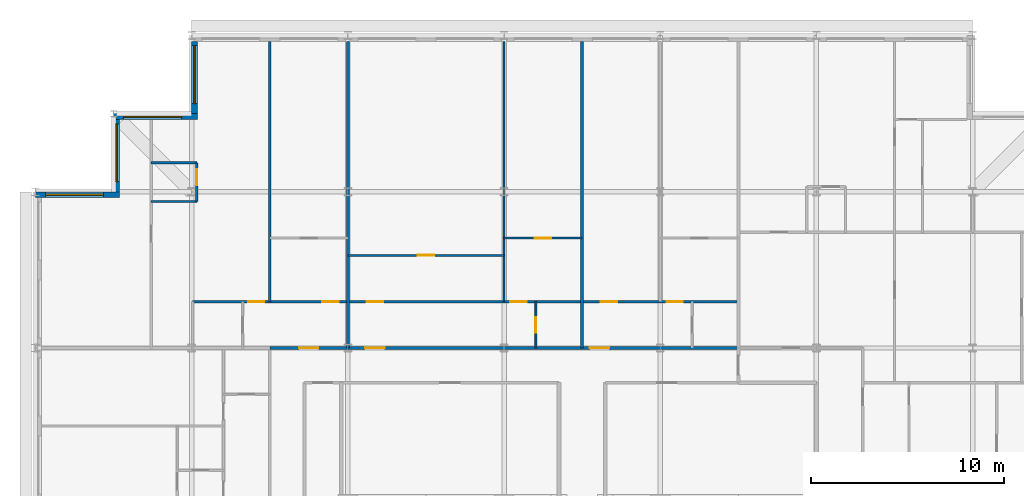
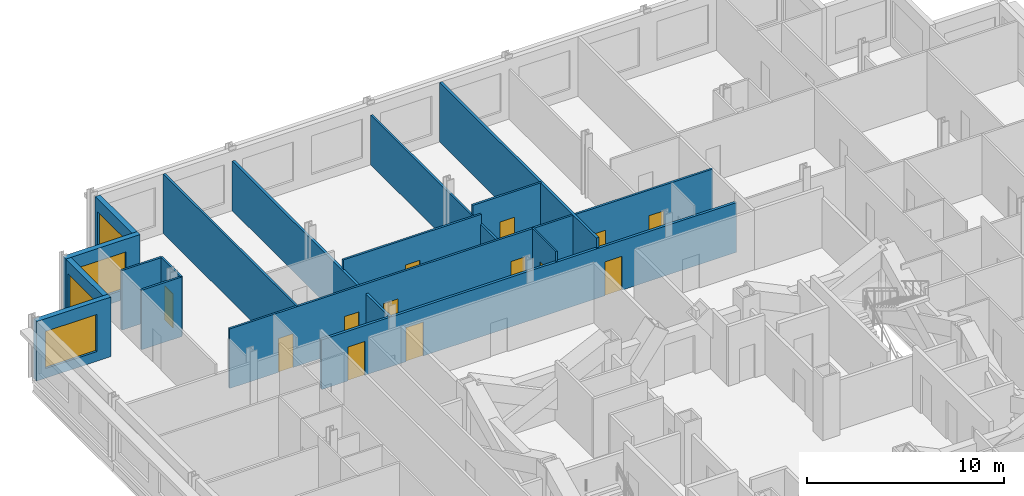
# One storey, part 12 of 15: 16 walls, 13 doors, 4 windows, 17 openings.
"""IFC4 building model written with IfcOpenShell, lengths in metres."""

from ifc_helpers import new_model, si_unit, direction, frame, frame_2d, origin, place, context, subcontext, project, spatial, rectangle, extrude, material, layer, layer_set, type_object, element, fill, save


model = new_model("IFC4")

# Units and contexts
model_context = context("Model", 3, precision=1e-05, world=origin(), true_north=direction((0.0, 1.0)))
body_context = subcontext(model_context, "Body", "Model", "MODEL_VIEW")
ifc_project = project(units=[si_unit("LENGTHUNIT", "METRE"), si_unit("AREAUNIT", "SQUARE_METRE"), si_unit("VOLUMEUNIT", "CUBIC_METRE"), si_unit("PLANEANGLEUNIT", "RADIAN"), si_unit("MASSUNIT", "GRAM", prefix="KILO")], contexts=[model_context])

# Site, building, storey
site_placement = place(None, origin())
site = spatial("IfcSite", under=ifc_project, at=site_placement, CompositionType="ELEMENT")
building_placement = place(site_placement, origin())
building = spatial("IfcBuilding", under=site, at=building_placement, Name="Kopane Lantern Tower", CompositionType="ELEMENT")
storey_placement = place(building_placement, frame((0.0, 0.0, 281.39990234375)))
storey = spatial("IfcBuildingStorey", under=building, at=storey_placement, Name="L72", CompositionType="ELEMENT", Elevation=281.39990234375)

# Wall
ifc_material_1 = material(Name="Gypsum board on steel studs", Category="steel")
ifc_layer_1 = layer(ifc_material_1, 0.1201171875)
ifc_layer_set_1 = layer_set([ifc_layer_1], Name="APARTMENT INTERNAL WALL 120")
wall_type_1 = type_object("IfcWallType", Name="APARTMENT INTERNAL WALL 120", PredefinedType="PARTITIONING", material=ifc_layer_set_1)
wall_1_placement = place(storey_placement, frame((24.300048828125, 51.0, 0.0), z_axis=(0.0, 0.0, 1.0), x_axis=(0.0, 1.0, 0.0)))
element("IfcWall", 1, at=wall_1_placement, inside=storey, type_object=wall_type_1, Name="Apartment Internal Wall 120 L72", PredefinedType="PARTITIONING", context=body_context, shape_type="SweptSolid", body=[
    extrude(rectangle(XDim=13.5, YDim=0.1201171875, at=frame_2d((6.75, 0.0))), origin(), (0.0, 0.0, 1.0), 3.077880859375),
])

# Wall, openings, doors
wall_2_placement = place(storey_placement, frame((8.14990234375, 51.0, 0.0), z_axis=(0.0, 0.0, 1.0), x_axis=(1.0, 0.0, 0.0)))
wall_2 = element("IfcWall", 2, at=wall_2_placement, inside=storey, type_object=wall_type_1, Name="Apartment Internal Wall 120 L72", PredefinedType="PARTITIONING", context=body_context, shape_type="SweptSolid", body=[
    extrude(rectangle(XDim=28.300048828125, YDim=0.1201171875, at=frame_2d((14.14990234375, 0.0))), origin(), (0.0, 0.0, 1.0), 3.690185546875),
])
opening_1_placement = place(wall_2_placement, frame((9.02490234375, 0.0, 0.0)))
opening_1 = element("IfcOpeningElement", 3, at=opening_1_placement, cuts=wall_2, Name="Opening L72-015", PredefinedType="OPENING", context=body_context, shape_type="SweptSolid", body=[
    extrude(rectangle(XDim=0.85009765625, YDim=2.10009765625, at=frame_2d((0.425048828125, 1.050048828125))), frame((0.0, 0.070068359375, 0.0), z_axis=(0.0, -1.0, 0.0), x_axis=(1.0, 0.0, 0.0)), (0.0, 0.0, 1.0), 0.14013671875),
])
opening_2_placement = place(wall_2_placement, frame((16.47509765625, 0.0, 0.0)))
opening_2 = element("IfcOpeningElement", 4, at=opening_2_placement, cuts=wall_2, Name="Opening L72-016", PredefinedType="OPENING", context=body_context, shape_type="SweptSolid", body=[
    extrude(rectangle(XDim=0.85009765625, YDim=2.10009765625, at=frame_2d((0.425048828125, 1.050048828125))), frame((0.0, 0.070068359375, 0.0), z_axis=(0.0, -1.0, 0.0), x_axis=(1.0, 0.0, 0.0)), (0.0, 0.0, 1.0), 0.14013671875),
])
opening_3_placement = place(wall_2_placement, frame((21.175048828125, 0.0, 0.0)))
opening_3 = element("IfcOpeningElement", 5, at=opening_3_placement, cuts=wall_2, Name="Opening L72-019", PredefinedType="OPENING", context=body_context, shape_type="SweptSolid", body=[
    extrude(rectangle(XDim=0.85009765625, YDim=2.10009765625, at=frame_2d((0.425048828125, 1.050048828125))), frame((0.0, 0.070068359375, 0.0), z_axis=(0.0, -1.0, 0.0), x_axis=(1.0, 0.0, 0.0)), (0.0, 0.0, 1.0), 0.14013671875),
])
opening_4_placement = place(wall_2_placement, frame((24.574951171875, 0.0, 0.0)))
opening_4 = element("IfcOpeningElement", 6, at=opening_4_placement, cuts=wall_2, Name="Opening L72-020", PredefinedType="OPENING", context=body_context, shape_type="SweptSolid", body=[
    extrude(rectangle(XDim=0.85009765625, YDim=2.10009765625, at=frame_2d((0.425048828125, 1.050048828125))), frame((0.0, 0.070068359375, 0.0), z_axis=(0.0, -1.0, 0.0), x_axis=(1.0, 0.0, 0.0)), (0.0, 0.0, 1.0), 0.14013671875),
])
opening_5_placement = place(wall_2_placement, frame((6.72509765625, 0.0, 0.0)))
opening_5 = element("IfcOpeningElement", 7, at=opening_5_placement, cuts=wall_2, Name="Opening L72-034", PredefinedType="OPENING", context=body_context, shape_type="SweptSolid", body=[
    extrude(rectangle(XDim=0.85009765625, YDim=2.10009765625, at=frame_2d((0.425048828125, 1.050048828125))), frame((0.0, 0.070068359375, 0.0), z_axis=(0.0, -1.0, 0.0), x_axis=(1.0, 0.0, 0.0)), (0.0, 0.0, 1.0), 0.14013671875),
])
opening_6_placement = place(wall_2_placement, frame((2.875, 0.0, 0.0)))
opening_6 = element("IfcOpeningElement", 8, at=opening_6_placement, cuts=wall_2, Name="Opening L72-036", PredefinedType="OPENING", context=body_context, shape_type="SweptSolid", body=[
    extrude(rectangle(XDim=0.85009765625, YDim=2.10009765625, at=frame_2d((0.425048828125, 1.050048828125))), frame((0.0, 0.070068359375, 0.0), z_axis=(0.0, -1.0, 0.0), x_axis=(1.0, 0.0, 0.0)), (0.0, 0.0, 1.0), 0.14013671875),
])
ifc_material_2 = material(Name="Timber door set", Category="wood")
door_type_1 = type_object("IfcDoorType", Name="DOOR D4 850x2100", OperationType="SINGLE_SWING_LEFT", PredefinedType="DOOR", material=ifc_material_2)
door_1_placement = place(opening_1_placement, origin())
door_1 = element("IfcDoor", 9, at=door_1_placement, inside=storey, type_object=door_type_1, Name="Door L72-015", OperationType="SINGLE_SWING_LEFT", OverallHeight=2.10009765625, OverallWidth=0.85009765625, PredefinedType="DOOR", context=body_context, shape_type="SweptSolid", body=[
    extrude(rectangle(XDim=0.85009765625, YDim=2.10009765625, at=frame_2d((0.425048828125, 1.050048828125))), frame((0.0, 0.02490234375, 0.0), z_axis=(0.0, -1.0, 0.0), x_axis=(1.0, 0.0, 0.0)), (0.0, 0.0, 1.0), 0.050048828125),
])
fill(opening_1, door_1)
door_2_placement = place(opening_2_placement, origin())
door_2 = element("IfcDoor", 10, at=door_2_placement, inside=storey, type_object=door_type_1, Name="Door L72-016", OperationType="SINGLE_SWING_LEFT", OverallHeight=2.10009765625, OverallWidth=0.85009765625, PredefinedType="DOOR", context=body_context, shape_type="SweptSolid", body=[
    extrude(rectangle(XDim=0.85009765625, YDim=2.10009765625, at=frame_2d((0.425048828125, 1.050048828125))), frame((0.0, 0.02490234375, 0.0), z_axis=(0.0, -1.0, 0.0), x_axis=(1.0, 0.0, 0.0)), (0.0, 0.0, 1.0), 0.050048828125),
])
fill(opening_2, door_2)
door_3_placement = place(opening_3_placement, origin())
door_3 = element("IfcDoor", 11, at=door_3_placement, inside=storey, type_object=door_type_1, Name="Door L72-019", OperationType="SINGLE_SWING_RIGHT", OverallHeight=2.10009765625, OverallWidth=0.85009765625, PredefinedType="DOOR", context=body_context, shape_type="SweptSolid", body=[
    extrude(rectangle(XDim=0.85009765625, YDim=2.10009765625, at=frame_2d((0.425048828125, 1.050048828125))), frame((0.0, 0.02490234375, 0.0), z_axis=(0.0, -1.0, 0.0), x_axis=(1.0, 0.0, 0.0)), (0.0, 0.0, 1.0), 0.050048828125),
])
fill(opening_3, door_3)
door_4_placement = place(opening_4_placement, origin())
door_4 = element("IfcDoor", 12, at=door_4_placement, inside=storey, type_object=door_type_1, Name="Door L72-020", OperationType="SINGLE_SWING_LEFT", OverallHeight=2.10009765625, OverallWidth=0.85009765625, PredefinedType="DOOR", context=body_context, shape_type="SweptSolid", body=[
    extrude(rectangle(XDim=0.85009765625, YDim=2.10009765625, at=frame_2d((0.425048828125, 1.050048828125))), frame((0.0, 0.02490234375, 0.0), z_axis=(0.0, -1.0, 0.0), x_axis=(1.0, 0.0, 0.0)), (0.0, 0.0, 1.0), 0.050048828125),
])
fill(opening_4, door_4)
door_5_placement = place(opening_5_placement, origin())
door_5 = element("IfcDoor", 13, at=door_5_placement, inside=storey, type_object=door_type_1, Name="Door L72-034", OperationType="SINGLE_SWING_LEFT", OverallHeight=2.10009765625, OverallWidth=0.85009765625, PredefinedType="DOOR", context=body_context, shape_type="SweptSolid", body=[
    extrude(rectangle(XDim=0.85009765625, YDim=2.10009765625, at=frame_2d((0.425048828125, 1.050048828125))), frame((0.0, 0.02490234375, 0.0), z_axis=(0.0, -1.0, 0.0), x_axis=(1.0, 0.0, 0.0)), (0.0, 0.0, 1.0), 0.050048828125),
])
fill(opening_5, door_5)
door_6_placement = place(opening_6_placement, origin())
door_6 = element("IfcDoor", 14, at=door_6_placement, inside=storey, type_object=door_type_1, Name="Door L72-036", OperationType="SINGLE_SWING_RIGHT", OverallHeight=2.10009765625, OverallWidth=0.85009765625, PredefinedType="DOOR", context=body_context, shape_type="SweptSolid", body=[
    extrude(rectangle(XDim=0.85009765625, YDim=2.10009765625, at=frame_2d((0.425048828125, 1.050048828125))), frame((0.0, 0.02490234375, 0.0), z_axis=(0.0, -1.0, 0.0), x_axis=(1.0, 0.0, 0.0)), (0.0, 0.0, 1.0), 0.050048828125),
])
fill(opening_6, door_6)

# Wall
wall_3_placement = place(storey_placement, frame((12.14990234375, 51.0, 0.0), z_axis=(0.0, 0.0, 1.0), x_axis=(0.0, 1.0, 0.0)))
element("IfcWall", 15, at=wall_3_placement, inside=storey, type_object=wall_type_1, Name="Apartment Internal Wall 120 L72", PredefinedType="PARTITIONING", context=body_context, shape_type="SweptSolid", body=[
    extrude(rectangle(XDim=13.5, YDim=0.1201171875, at=frame_2d((6.75, 0.0))), origin(), (0.0, 0.0, 1.0), 3.690185546875),
])

# Wall, opening, door
wall_4_placement = place(storey_placement, frame((16.199951171875, 53.39990234375, 0.0), z_axis=(0.0, 0.0, 1.0), x_axis=(1.0, 0.0, 0.0)))
wall_4 = element("IfcWall", 16, at=wall_4_placement, inside=storey, type_object=wall_type_1, Name="Apartment Internal Wall 120 L72", PredefinedType="PARTITIONING", context=body_context, shape_type="SweptSolid", body=[
    extrude(rectangle(XDim=8.10009765625, YDim=0.1201171875, at=frame_2d((4.050048828125, 0.0))), origin(), (0.0, 0.0, 1.0), 3.690185546875),
])
opening_7_placement = place(wall_4_placement, frame((3.625, 0.0, 0.0)))
opening_7 = element("IfcOpeningElement", 17, at=opening_7_placement, cuts=wall_4, Name="Opening L72-060", PredefinedType="OPENING", context=body_context, shape_type="SweptSolid", body=[
    extrude(rectangle(XDim=0.85009765625, YDim=2.10009765625, at=frame_2d((0.425048828125, 1.050048828125))), frame((0.0, 0.070068359375, 0.0), z_axis=(0.0, -1.0, 0.0), x_axis=(1.0, 0.0, 0.0)), (0.0, 0.0, 1.0), 0.14013671875),
])
door_7_placement = place(opening_7_placement, origin())
door_7 = element("IfcDoor", 18, at=door_7_placement, inside=storey, type_object=door_type_1, Name="Door L72-060", OperationType="SINGLE_SWING_RIGHT", OverallHeight=2.10009765625, OverallWidth=0.85009765625, PredefinedType="DOOR", context=body_context, shape_type="SweptSolid", body=[
    extrude(rectangle(XDim=0.85009765625, YDim=2.10009765625, at=frame_2d((0.425048828125, 1.050048828125))), frame((0.0, 0.02490234375, 0.0), z_axis=(0.0, -1.0, 0.0), x_axis=(1.0, 0.0, 0.0)), (0.0, 0.0, 1.0), 0.050048828125),
])
fill(opening_7, door_7)

wall_5_placement = place(storey_placement, frame((24.300048828125, 54.300048828125, 0.0), z_axis=(0.0, 0.0, 1.0), x_axis=(1.0, 0.0, 0.0)))
wall_5 = element("IfcWall", 19, at=wall_5_placement, inside=storey, type_object=wall_type_1, Name="Apartment Internal Wall 120 L72", PredefinedType="PARTITIONING", context=body_context, shape_type="SweptSolid", body=[
    extrude(rectangle(XDim=4.050048828125, YDim=0.1201171875, at=frame_2d((2.02490234375, 0.0))), origin(), (0.0, 0.0, 1.0), 3.690185546875),
])
opening_8_placement = place(wall_5_placement, frame((1.60009765625, 0.0, 0.0)))
opening_8 = element("IfcOpeningElement", 20, at=opening_8_placement, cuts=wall_5, Name="Opening L72-061", PredefinedType="OPENING", context=body_context, shape_type="SweptSolid", body=[
    extrude(rectangle(XDim=0.85009765625, YDim=2.10009765625, at=frame_2d((0.425048828125, 1.050048828125))), frame((0.0, 0.070068359375, 0.0), z_axis=(0.0, -1.0, 0.0), x_axis=(1.0, 0.0, 0.0)), (0.0, 0.0, 1.0), 0.14013671875),
])
door_8_placement = place(opening_8_placement, origin())
door_8 = element("IfcDoor", 21, at=door_8_placement, inside=storey, type_object=door_type_1, Name="Door L72-061", OperationType="SINGLE_SWING_RIGHT", OverallHeight=2.10009765625, OverallWidth=0.85009765625, PredefinedType="DOOR", context=body_context, shape_type="SweptSolid", body=[
    extrude(rectangle(XDim=0.85009765625, YDim=2.10009765625, at=frame_2d((0.425048828125, 1.050048828125))), frame((0.0, 0.02490234375, 0.0), z_axis=(0.0, -1.0, 0.0), x_axis=(1.0, 0.0, 0.0)), (0.0, 0.0, 1.0), 0.050048828125),
])
fill(opening_8, door_8)

# Walls
for number, where, z_axis, x_axis, name in (
    (22, (6.0, 56.197021484375, 0.0), (0.0, 0.0, 1.0), (1.0, 0.0, 0.0), "Apartment Internal Wall 120 L72"),
    (23, (6.0, 58.202880859375, 0.0), (0.0, 0.0, 1.0), (1.0, 0.0, 0.0), "Apartment Internal Wall 120 L72"),
):
    element("IfcWall", number, at=place(storey_placement, frame(where, z_axis=z_axis, x_axis=x_axis)), inside=storey, type_object=wall_type_1, Name=name, PredefinedType="PARTITIONING", context=body_context, shape_type="SweptSolid", body=[
        extrude(rectangle(XDim=2.363037109375, YDim=0.1201171875, at=frame_2d((1.181640625, 0.0))), origin(), (0.0, 0.0, 1.0), 3.690185546875),
    ])

# Wall, opening, door
wall_6_placement = place(storey_placement, frame((8.363037109375, 56.197021484375, 0.0), z_axis=(0.0, 0.0, 1.0), x_axis=(0.0, 1.0, 0.0)))
wall_6 = element("IfcWall", 24, at=wall_6_placement, inside=storey, type_object=wall_type_1, Name="Apartment Internal Wall 120 L72", PredefinedType="PARTITIONING", context=body_context, shape_type="SweptSolid", body=[
    extrude(rectangle(XDim=2.005859375, YDim=0.1201171875, at=frame_2d((1.0029296875, 0.0))), origin(), (0.0, 0.0, 1.0), 3.690185546875),
])
opening_9_placement = place(wall_6_placement, frame((0.8310546875, 0.0, 0.0)))
opening_9 = element("IfcOpeningElement", 25, at=opening_9_placement, cuts=wall_6, Name="Opening L72-074", PredefinedType="OPENING", context=body_context, shape_type="SweptSolid", body=[
    extrude(rectangle(XDim=0.85009765625, YDim=2.10009765625, at=frame_2d((0.425048828125, 1.050048828125))), frame((0.0, 0.070068359375, 0.0), z_axis=(0.0, -1.0, 0.0), x_axis=(1.0, 0.0, 0.0)), (0.0, 0.0, 1.0), 0.14013671875),
])
door_9_placement = place(opening_9_placement, origin())
door_9 = element("IfcDoor", 26, at=door_9_placement, inside=storey, type_object=door_type_1, Name="Door L72-074", OperationType="SINGLE_SWING_RIGHT", OverallHeight=2.10009765625, OverallWidth=0.85009765625, PredefinedType="DOOR", context=body_context, shape_type="SweptSolid", body=[
    extrude(rectangle(XDim=0.85009765625, YDim=2.10009765625, at=frame_2d((0.425048828125, 1.050048828125))), frame((0.0, 0.02490234375, 0.0), z_axis=(0.0, -1.0, 0.0), x_axis=(1.0, 0.0, 0.0)), (0.0, 0.0, 1.0), 0.050048828125),
])
fill(opening_9, door_9)

ifc_material_3 = material(Name="Moisture-resistant board on steel studs", Category="steel")
ifc_layer_2 = layer(ifc_material_3, 0.10009765625)
ifc_layer_set_2 = layer_set([ifc_layer_2], Name="BATHROOM WALL 100")
wall_type_2 = type_object("IfcWallType", Name="BATHROOM WALL 100", PredefinedType="PARTITIONING", material=ifc_layer_set_2)
wall_7_placement = place(storey_placement, frame((25.949951171875, 48.60009765625, 0.0), z_axis=(0.0, 0.0, 1.0), x_axis=(0.0, 1.0, 0.0)))
wall_7 = element("IfcWall", 27, at=wall_7_placement, inside=storey, type_object=wall_type_2, Name="Bathroom Wall 100 L72", PredefinedType="PARTITIONING", context=body_context, shape_type="SweptSolid", body=[
    extrude(rectangle(XDim=2.39990234375, YDim=0.10009765625, at=frame_2d((1.199951171875, 0.0))), origin(), (0.0, 0.0, 1.0), 3.690185546875),
])
opening_10_placement = place(wall_7_placement, frame((0.800048828125, 0.0, 0.0)))
opening_10 = element("IfcOpeningElement", 28, at=opening_10_placement, cuts=wall_7, Name="Opening L72-013", PredefinedType="OPENING", context=body_context, shape_type="SweptSolid", body=[
    extrude(rectangle(XDim=0.800048828125, YDim=2.10009765625, at=frame_2d((0.39990234375, 1.050048828125))), frame((0.0, 0.06005859375, 0.0), z_axis=(0.0, -1.0, 0.0), x_axis=(1.0, 0.0, 0.0)), (0.0, 0.0, 1.0), 0.1201171875),
])
ifc_material_4 = material(Name="Timber door set", Category="wood")
door_type_2 = type_object("IfcDoorType", Name="DOOR D2 800x2100", OperationType="SINGLE_SWING_LEFT", PredefinedType="DOOR", material=ifc_material_4)
door_10_placement = place(opening_10_placement, origin())
door_10 = element("IfcDoor", 29, at=door_10_placement, inside=storey, type_object=door_type_2, Name="Door L72-013", OperationType="SINGLE_SWING_RIGHT", OverallHeight=2.10009765625, OverallWidth=0.800048828125, PredefinedType="DOOR", context=body_context, shape_type="SweptSolid", body=[
    extrude(rectangle(XDim=0.800048828125, YDim=2.10009765625, at=frame_2d((0.39990234375, 1.050048828125))), frame((0.0, 0.02490234375, 0.0), z_axis=(0.0, -1.0, 0.0), x_axis=(1.0, 0.0, 0.0)), (0.0, 0.0, 1.0), 0.050048828125),
])
fill(opening_10, door_10)

# Wall, openings, doors
ifc_material_5 = material(Name="Gypsum board on steel studs", Category="steel")
ifc_layer_3 = layer(ifc_material_5, 0.14990234375)
ifc_layer_set_3 = layer_set([ifc_layer_3], Name="CORRIDOR WALL 150 EI 60")
wall_type_3 = type_object("IfcWallType", Name="CORRIDOR WALL 150 EI 60", PredefinedType="PARTITIONING", material=ifc_layer_set_3)
wall_8_placement = place(storey_placement, frame((12.14990234375, 48.60009765625, 0.0), z_axis=(0.0, 0.0, 1.0), x_axis=(1.0, 0.0, 0.0)))
wall_8 = element("IfcWall", 30, at=wall_8_placement, inside=storey, type_object=wall_type_3, Name="Corridor Wall 150 Ei 60 L72", PredefinedType="PARTITIONING", context=body_context, shape_type="SweptSolid", body=[
    extrude(rectangle(XDim=24.300048828125, YDim=0.14990234375, at=frame_2d((12.14990234375, 0.0))), origin(), (0.0, 0.0, 1.0), 3.077880859375),
])
opening_11_placement = place(wall_8_placement, frame((4.949951171875, 0.0, 0.0)))
opening_11 = element("IfcOpeningElement", 31, at=opening_11_placement, cuts=wall_8, Name="Opening L72-014", PredefinedType="OPENING", context=body_context, shape_type="SweptSolid", body=[
    extrude(rectangle(XDim=1.0, YDim=2.10009765625, at=frame_2d((0.5, 1.050048828125))), frame((0.0, 0.0849609375, 0.0), z_axis=(0.0, -1.0, 0.0), x_axis=(1.0, 0.0, 0.0)), (0.0, 0.0, 1.0), 0.169921875),
])
opening_12_placement = place(wall_8_placement, frame((16.60009765625, 0.0, 0.0)))
opening_12 = element("IfcOpeningElement", 32, at=opening_12_placement, cuts=wall_8, Name="Opening L72-018", PredefinedType="OPENING", context=body_context, shape_type="SweptSolid", body=[
    extrude(rectangle(XDim=1.0, YDim=2.10009765625, at=frame_2d((0.5, 1.050048828125))), frame((0.0, 0.0849609375, 0.0), z_axis=(0.0, -1.0, 0.0), x_axis=(1.0, 0.0, 0.0)), (0.0, 0.0, 1.0), 0.169921875),
])
opening_13_placement = place(wall_8_placement, frame((1.52490234375, 0.0, 0.0)))
opening_13 = element("IfcOpeningElement", 33, at=opening_13_placement, cuts=wall_8, Name="Opening L72-033", PredefinedType="OPENING", context=body_context, shape_type="SweptSolid", body=[
    extrude(rectangle(XDim=1.0, YDim=2.10009765625, at=frame_2d((0.5, 1.050048828125))), frame((0.0, 0.0849609375, 0.0), z_axis=(0.0, -1.0, 0.0), x_axis=(1.0, 0.0, 0.0)), (0.0, 0.0, 1.0), 0.169921875),
])
ifc_material_6 = material(Name="Steel door set", Category="steel")
door_type_3 = type_object("IfcDoorType", Name="DOOR D3 1000x2100 FD30S", OperationType="SINGLE_SWING_LEFT", PredefinedType="DOOR", material=ifc_material_6)
door_11_placement = place(opening_11_placement, origin())
door_11 = element("IfcDoor", 34, at=door_11_placement, inside=storey, type_object=door_type_3, Name="Door L72-014", OperationType="SINGLE_SWING_LEFT", OverallHeight=2.10009765625, OverallWidth=1.0, PredefinedType="DOOR", context=body_context, shape_type="SweptSolid", body=[
    extrude(rectangle(XDim=1.0, YDim=2.10009765625, at=frame_2d((0.5, 1.050048828125))), frame((0.0, 0.02490234375, 0.0), z_axis=(0.0, -1.0, 0.0), x_axis=(1.0, 0.0, 0.0)), (0.0, 0.0, 1.0), 0.050048828125),
])
fill(opening_11, door_11)
door_12_placement = place(opening_12_placement, origin())
door_12 = element("IfcDoor", 35, at=door_12_placement, inside=storey, type_object=door_type_3, Name="Door L72-018", OperationType="SINGLE_SWING_LEFT", OverallHeight=2.10009765625, OverallWidth=1.0, PredefinedType="DOOR", context=body_context, shape_type="SweptSolid", body=[
    extrude(rectangle(XDim=1.0, YDim=2.10009765625, at=frame_2d((0.5, 1.050048828125))), frame((0.0, 0.02490234375, 0.0), z_axis=(0.0, -1.0, 0.0), x_axis=(1.0, 0.0, 0.0)), (0.0, 0.0, 1.0), 0.050048828125),
])
fill(opening_12, door_12)
door_13_placement = place(opening_13_placement, origin())
door_13 = element("IfcDoor", 36, at=door_13_placement, inside=storey, type_object=door_type_3, Name="Door L72-033", OperationType="SINGLE_SWING_RIGHT", OverallHeight=2.10009765625, OverallWidth=1.0, PredefinedType="DOOR", context=body_context, shape_type="SweptSolid", body=[
    extrude(rectangle(XDim=1.0, YDim=2.10009765625, at=frame_2d((0.5, 1.050048828125))), frame((0.0, 0.02490234375, 0.0), z_axis=(0.0, -1.0, 0.0), x_axis=(1.0, 0.0, 0.0)), (0.0, 0.0, 1.0), 0.050048828125),
])
fill(opening_13, door_13)

# Walls
ifc_material_7 = material(Name="Gypsum board on steel studs", Category="steel")
ifc_layer_4 = layer(ifc_material_7, 0.14990234375)
ifc_layer_set_4 = layer_set([ifc_layer_4], Name="DEMISING WALL 150 EI 60")
wall_type_4 = type_object("IfcWallType", Name="DEMISING WALL 150 EI 60", PredefinedType="PARTITIONING", material=ifc_layer_set_4)
wall_9_placement = place(storey_placement, frame((28.35009765625, 48.60009765625, 0.0), z_axis=(0.0, 0.0, 1.0), x_axis=(0.0, 1.0, 0.0)))
element("IfcWall", 37, at=wall_9_placement, inside=storey, type_object=wall_type_4, Name="Demising Wall 150 Ei 60 L72", PredefinedType="PARTITIONING", context=body_context, shape_type="SweptSolid", body=[
    extrude(rectangle(XDim=15.89990234375, YDim=0.14990234375, at=frame_2d((7.949951171875, 0.0))), origin(), (0.0, 0.0, 1.0), 3.690185546875),
])
wall_10_placement = place(storey_placement, frame((16.199951171875, 48.60009765625, 0.0), z_axis=(0.0, 0.0, 1.0), x_axis=(0.0, 1.0, 0.0)))
element("IfcWall", 38, at=wall_10_placement, inside=storey, type_object=wall_type_4, Name="Demising Wall 150 Ei 60 L72", PredefinedType="PARTITIONING", context=body_context, shape_type="SweptSolid", body=[
    extrude(rectangle(XDim=15.89990234375, YDim=0.14990234375, at=frame_2d((7.949951171875, 0.0))), origin(), (0.0, 0.0, 1.0), 3.077880859375),
])

# Wall, opening, window
ifc_material_8 = material(Name="Terracotta rainscreen on light steel framing", Category="masonry")
ifc_layer_5 = layer(ifc_material_8, 0.300048828125)
ifc_layer_set_5 = layer_set([ifc_layer_5], Name="EXTERNAL WALL EW1 300 TERRACOTTA")
wall_type_5 = type_object("IfcWallType", Name="EXTERNAL WALL EW1 300 TERRACOTTA", PredefinedType="SOLIDWALL", material=ifc_layer_set_5)
wall_11_placement = place(storey_placement, frame((8.25, 64.5, 0.0), z_axis=(0.0, 0.0, 1.0), x_axis=(0.0, -1.0, 0.0)))
wall_11 = element("IfcWall", 39, at=wall_11_placement, inside=storey, type_object=wall_type_5, Name="External wall W L72", PredefinedType="SOLIDWALL", context=body_context, shape_type="SweptSolid", body=[
    extrude(rectangle(XDim=3.75, YDim=0.300048828125, at=frame_2d((1.875, 0.0))), origin(), (0.0, 0.0, 1.0), 3.690185546875),
])
opening_14_placement = place(wall_11_placement, frame((0.22509765625, 0.0, 0.60009765625)))
opening_14 = element("IfcOpeningElement", 40, at=opening_14_placement, cuts=wall_11, Name="Opening WR300230", PredefinedType="OPENING", context=body_context, shape_type="SweptSolid", body=[
    extrude(rectangle(XDim=3.0, YDim=2.300048828125, at=frame_2d((1.5, 1.14990234375))), frame((0.0, 0.159912109375, 0.0), z_axis=(0.0, -1.0, 0.0), x_axis=(1.0, 0.0, 0.0)), (0.0, 0.0, 1.0), 0.320068359375),
])
ifc_material_9 = material(Name="Aluminium and clear glass", Category="aluminium")
window_type = type_object("IfcWindowType", Name="RIBBON WINDOW WR300230 3000x2300", PartitioningType="SINGLE_PANEL", PredefinedType="WINDOW", material=ifc_material_9)
window_1_placement = place(opening_14_placement, origin())
window_1 = element("IfcWindow", 41, at=window_1_placement, inside=storey, type_object=window_type, Name="Window W L72", OverallHeight=2.300048828125, OverallWidth=3.0, PartitioningType="SINGLE_PANEL", PredefinedType="WINDOW", context=body_context, shape_type="SweptSolid", body=[
    extrude(rectangle(XDim=3.0, YDim=2.300048828125, at=frame_2d((1.5, 1.14990234375))), frame((0.0, 0.030029296875, 0.0), z_axis=(0.0, -1.0, 0.0), x_axis=(1.0, 0.0, 0.0)), (0.0, 0.0, 1.0), 0.06005859375),
])
fill(opening_14, window_1)

wall_12_placement = place(storey_placement, frame((8.39990234375, 60.60009765625, 0.0), z_axis=(0.0, 0.0, 1.0), x_axis=(-1.0, 0.0, 0.0)))
wall_12 = element("IfcWall", 42, at=wall_12_placement, inside=storey, type_object=wall_type_5, Name="External wall N L72", PredefinedType="SOLIDWALL", context=body_context, shape_type="SweptSolid", body=[
    extrude(rectangle(XDim=4.349853515625, YDim=0.300048828125, at=frame_2d((2.1748046875, 0.0))), origin(), (0.0, 0.0, 1.0), 3.690185546875),
])
opening_15_placement = place(wall_12_placement, frame((0.824951171875, 0.0, 0.60009765625)))
opening_15 = element("IfcOpeningElement", 43, at=opening_15_placement, cuts=wall_12, Name="Opening WR300230", PredefinedType="OPENING", context=body_context, shape_type="SweptSolid", body=[
    extrude(rectangle(XDim=3.0, YDim=2.300048828125, at=frame_2d((1.5, 1.14990234375))), frame((0.0, 0.159912109375, 0.0), z_axis=(0.0, -1.0, 0.0), x_axis=(1.0, 0.0, 0.0)), (0.0, 0.0, 1.0), 0.320068359375),
])
window_2_placement = place(opening_15_placement, origin())
window_2 = element("IfcWindow", 44, at=window_2_placement, inside=storey, type_object=window_type, Name="Window N L72", OverallHeight=2.300048828125, OverallWidth=3.0, PartitioningType="SINGLE_PANEL", PredefinedType="WINDOW", context=body_context, shape_type="SweptSolid", body=[
    extrude(rectangle(XDim=3.0, YDim=2.300048828125, at=frame_2d((1.5, 1.14990234375))), frame((0.0, 0.030029296875, 0.0), z_axis=(0.0, -1.0, 0.0), x_axis=(1.0, 0.0, 0.0)), (0.0, 0.0, 1.0), 0.06005859375),
])
fill(opening_15, window_2)

wall_13_placement = place(storey_placement, frame((4.199951171875, 60.449951171875, 0.0), z_axis=(0.0, 0.0, 1.0), x_axis=(0.0, -1.0, 0.0)))
wall_13 = element("IfcWall", 45, at=wall_13_placement, inside=storey, type_object=wall_type_5, Name="External wall W L72", PredefinedType="SOLIDWALL", context=body_context, shape_type="SweptSolid", body=[
    extrude(rectangle(XDim=3.75, YDim=0.300048828125, at=frame_2d((1.875, 0.0))), origin(), (0.0, 0.0, 1.0), 3.690185546875),
])
opening_16_placement = place(wall_13_placement, frame((0.22509765625, 0.0, 0.60009765625)))
opening_16 = element("IfcOpeningElement", 46, at=opening_16_placement, cuts=wall_13, Name="Opening WR300230", PredefinedType="OPENING", context=body_context, shape_type="SweptSolid", body=[
    extrude(rectangle(XDim=3.0, YDim=2.300048828125, at=frame_2d((1.5, 1.14990234375))), frame((0.0, 0.159912109375, 0.0), z_axis=(0.0, -1.0, 0.0), x_axis=(1.0, 0.0, 0.0)), (0.0, 0.0, 1.0), 0.320068359375),
])
window_3_placement = place(opening_16_placement, origin())
window_3 = element("IfcWindow", 47, at=window_3_placement, inside=storey, type_object=window_type, Name="Window W L72", OverallHeight=2.300048828125, OverallWidth=3.0, PartitioningType="SINGLE_PANEL", PredefinedType="WINDOW", context=body_context, shape_type="SweptSolid", body=[
    extrude(rectangle(XDim=3.0, YDim=2.300048828125, at=frame_2d((1.5, 1.14990234375))), frame((0.0, 0.030029296875, 0.0), z_axis=(0.0, -1.0, 0.0), x_axis=(1.0, 0.0, 0.0)), (0.0, 0.0, 1.0), 0.06005859375),
])
fill(opening_16, window_3)

wall_14_placement = place(storey_placement, frame((4.35009765625, 56.550048828125, 0.0), z_axis=(0.0, 0.0, 1.0), x_axis=(-1.0, 0.0, 0.0)))
wall_14 = element("IfcWall", 48, at=wall_14_placement, inside=storey, type_object=wall_type_5, Name="External wall N L72", PredefinedType="SOLIDWALL", context=body_context, shape_type="SweptSolid", body=[
    extrude(rectangle(XDim=4.35009765625, YDim=0.300048828125, at=frame_2d((2.175048828125, 0.0))), origin(), (0.0, 0.0, 1.0), 3.690185546875),
])
opening_17_placement = place(wall_14_placement, frame((0.824951171875, 0.0, 0.60009765625)))
opening_17 = element("IfcOpeningElement", 49, at=opening_17_placement, cuts=wall_14, Name="Opening WR300230", PredefinedType="OPENING", context=body_context, shape_type="SweptSolid", body=[
    extrude(rectangle(XDim=3.0, YDim=2.300048828125, at=frame_2d((1.5, 1.14990234375))), frame((0.0, 0.159912109375, 0.0), z_axis=(0.0, -1.0, 0.0), x_axis=(1.0, 0.0, 0.0)), (0.0, 0.0, 1.0), 0.320068359375),
])
window_4_placement = place(opening_17_placement, origin())
window_4 = element("IfcWindow", 50, at=window_4_placement, inside=storey, type_object=window_type, Name="Window N L72", OverallHeight=2.300048828125, OverallWidth=3.0, PartitioningType="SINGLE_PANEL", PredefinedType="WINDOW", context=body_context, shape_type="SweptSolid", body=[
    extrude(rectangle(XDim=3.0, YDim=2.300048828125, at=frame_2d((1.5, 1.14990234375))), frame((0.0, 0.030029296875, 0.0), z_axis=(0.0, -1.0, 0.0), x_axis=(1.0, 0.0, 0.0)), (0.0, 0.0, 1.0), 0.06005859375),
])
fill(opening_17, window_4)

save(model, "model.ifc")
